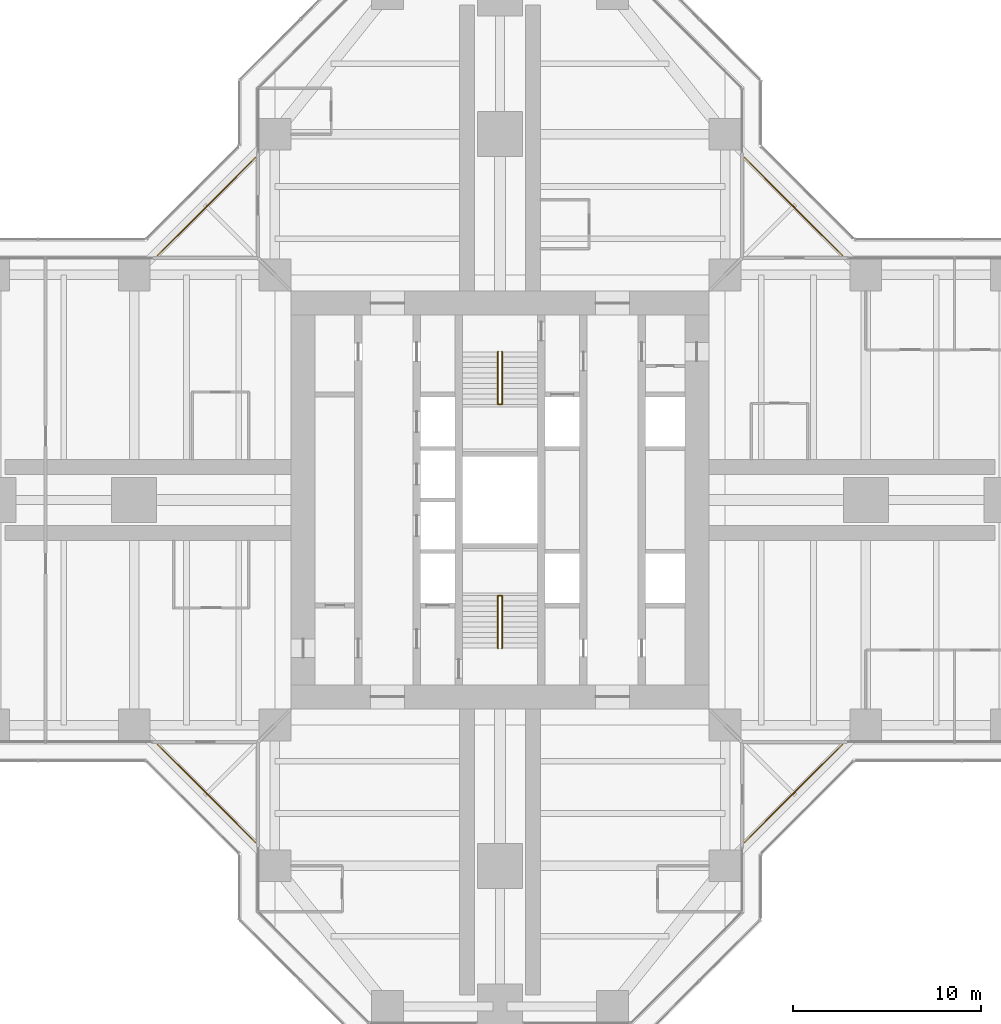
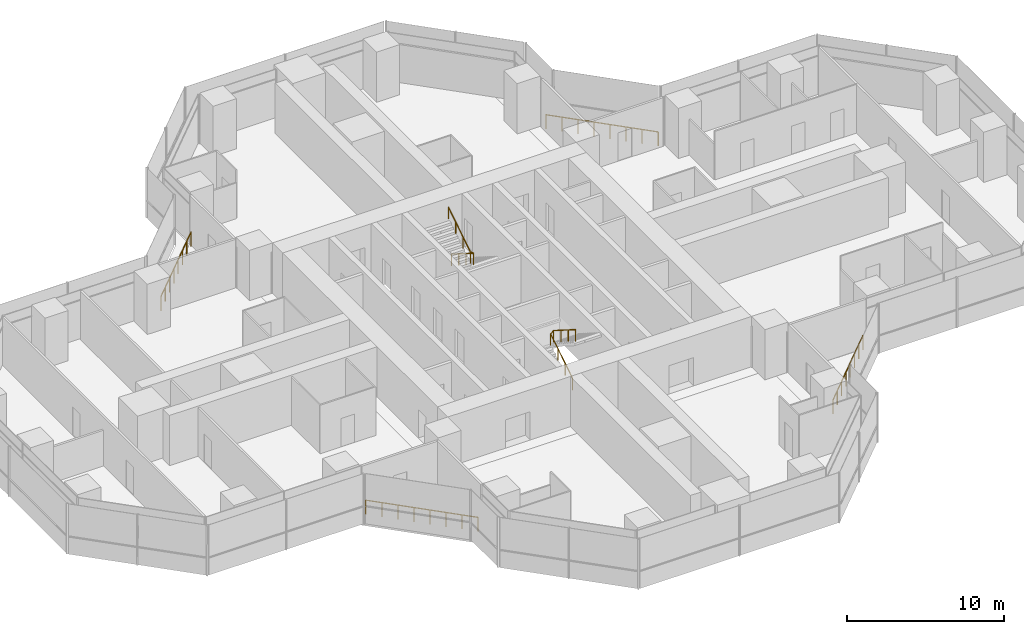
# One storey, part 20 of 20: 6 railings.
"""IFC4 building model written with IfcOpenShell, lengths in metres."""

from ifc_helpers import new_model, si_unit, direction, frame, origin, origin_2d, place, context, subcontext, project, spatial, circle, extrude, material, type_object, element, save


model = new_model("IFC4")

# Units and contexts
model_context = context("Model", 3, precision=1e-05, world=origin(), true_north=direction((0.0, 1.0)))
body_context = subcontext(model_context, "Body", "Model", "MODEL_VIEW")
ifc_project = project(units=[si_unit("LENGTHUNIT", "METRE"), si_unit("AREAUNIT", "SQUARE_METRE"), si_unit("VOLUMEUNIT", "CUBIC_METRE"), si_unit("PLANEANGLEUNIT", "RADIAN"), si_unit("MASSUNIT", "GRAM", prefix="KILO")], contexts=[model_context])

# Site, building, storey
site_placement = place(None, origin())
site = spatial("IfcSite", under=ifc_project, at=site_placement, CompositionType="ELEMENT")
building_placement = place(site_placement, origin())
building = spatial("IfcBuilding", under=site, at=building_placement, Name="Mizan Broadcast Tower", CompositionType="ELEMENT")
storey_placement = place(building_placement, frame((0.0, 0.0, 155.39990234375)))
storey = spatial("IfcBuildingStorey", under=building, at=storey_placement, Name="L35", CompositionType="ELEMENT", Elevation=155.39990234375)

# Railings
ifc_material_1 = material(Name="Stainless steel and glass guard", Category="steel")
railing_type_1 = type_object("IfcRailingType", Name="GUARD 1100", PredefinedType="GUARDRAIL", material=ifc_material_1)
railing_1_placement = place(storey_placement, frame((18.2578125, 13.030029296875, 0.0)))
element("IfcRailing", 1, at=railing_1_placement, inside=storey, type_object=railing_type_1, Name="Winter garden guard L35 E", PredefinedType="GUARDRAIL", context=body_context, shape_type="SweptSolid", body=[
    extrude(circle(Radius=0.02392578125, at=origin_2d()), frame((0.0, 0.0, 1.076171875), z_axis=(-0.707106781187, 0.707106781187, 0.0), x_axis=(-0.707106781187, -0.707106781187, 0.0)), (0.0, 0.0, 1.0), 7.393310546875),
    extrude(circle(Radius=0.02099609375, at=origin_2d()), origin(), (0.0, 0.0, 1.0), 1.052001953125),
    extrude(circle(Radius=0.02099609375, at=origin_2d()), frame((-0.746826171875, 0.746826171875, 0.0)), (0.0, 0.0, 1.0), 1.052001953125),
    extrude(circle(Radius=0.02099609375, at=origin_2d()), frame((-1.49365234375, 1.49365234375, 0.0)), (0.0, 0.0, 1.0), 1.052001953125),
    extrude(circle(Radius=0.02099609375, at=origin_2d()), frame((-2.240478515625, 2.240478515625, 0.0)), (0.0, 0.0, 1.0), 1.052001953125),
    extrude(circle(Radius=0.02099609375, at=origin_2d()), frame((-2.9873046875, 2.9873046875, 0.0)), (0.0, 0.0, 1.0), 1.052001953125),
    extrude(circle(Radius=0.02099609375, at=origin_2d()), frame((-3.734130859375, 3.734130859375, 0.0)), (0.0, 0.0, 1.0), 1.052001953125),
    extrude(circle(Radius=0.02099609375, at=origin_2d()), frame((-4.48095703125, 4.48095703125, 0.0)), (0.0, 0.0, 1.0), 1.052001953125),
    extrude(circle(Radius=0.02099609375, at=origin_2d()), frame((-5.227783203125, 5.227783203125, 0.0)), (0.0, 0.0, 1.0), 1.052001953125),
])
railing_2_placement = place(storey_placement, frame((-13.030029296875, 18.2578125, 0.0)))
element("IfcRailing", 2, at=railing_2_placement, inside=storey, type_object=railing_type_1, Name="Winter garden guard L35 N", PredefinedType="GUARDRAIL", context=body_context, shape_type="SweptSolid", body=[
    extrude(circle(Radius=0.02392578125, at=origin_2d()), frame((0.0, 0.0, 1.076171875), z_axis=(-0.707106781187, -0.707106781187, 0.0), x_axis=(0.707106781187, -0.707106781187, 0.0)), (0.0, 0.0, 1.0), 7.393310546875),
    extrude(circle(Radius=0.02099609375, at=origin_2d()), origin(), (0.0, 0.0, 1.0), 1.052001953125),
    extrude(circle(Radius=0.02099609375, at=origin_2d()), frame((-0.746826171875, -0.746826171875, 0.0)), (0.0, 0.0, 1.0), 1.052001953125),
    extrude(circle(Radius=0.02099609375, at=origin_2d()), frame((-1.49365234375, -1.49365234375, 0.0)), (0.0, 0.0, 1.0), 1.052001953125),
    extrude(circle(Radius=0.02099609375, at=origin_2d()), frame((-2.240478515625, -2.240478515625, 0.0)), (0.0, 0.0, 1.0), 1.052001953125),
    extrude(circle(Radius=0.02099609375, at=origin_2d()), frame((-2.9873046875, -2.9873046875, 0.0)), (0.0, 0.0, 1.0), 1.052001953125),
    extrude(circle(Radius=0.02099609375, at=origin_2d()), frame((-3.734130859375, -3.734130859375, 0.0)), (0.0, 0.0, 1.0), 1.052001953125),
    extrude(circle(Radius=0.02099609375, at=origin_2d()), frame((-4.48095703125, -4.48095703125, 0.0)), (0.0, 0.0, 1.0), 1.052001953125),
    extrude(circle(Radius=0.02099609375, at=origin_2d()), frame((-5.227783203125, -5.227783203125, 0.0)), (0.0, 0.0, 1.0), 1.052001953125),
])
railing_3_placement = place(storey_placement, frame((-18.2578125, -13.030029296875, 0.0)))
element("IfcRailing", 3, at=railing_3_placement, inside=storey, type_object=railing_type_1, Name="Winter garden guard L35 W", PredefinedType="GUARDRAIL", context=body_context, shape_type="SweptSolid", body=[
    extrude(circle(Radius=0.02392578125, at=origin_2d()), frame((0.0, 0.0, 1.076171875), z_axis=(0.707106781187, -0.707106781187, 0.0), x_axis=(0.707106781187, 0.707106781187, 0.0)), (0.0, 0.0, 1.0), 7.393310546875),
    extrude(circle(Radius=0.02099609375, at=origin_2d()), origin(), (0.0, 0.0, 1.0), 1.052001953125),
    extrude(circle(Radius=0.02099609375, at=origin_2d()), frame((0.746826171875, -0.746826171875, 0.0)), (0.0, 0.0, 1.0), 1.052001953125),
    extrude(circle(Radius=0.02099609375, at=origin_2d()), frame((1.49365234375, -1.49365234375, 0.0)), (0.0, 0.0, 1.0), 1.052001953125),
    extrude(circle(Radius=0.02099609375, at=origin_2d()), frame((2.240478515625, -2.240478515625, 0.0)), (0.0, 0.0, 1.0), 1.052001953125),
    extrude(circle(Radius=0.02099609375, at=origin_2d()), frame((2.9873046875, -2.9873046875, 0.0)), (0.0, 0.0, 1.0), 1.052001953125),
    extrude(circle(Radius=0.02099609375, at=origin_2d()), frame((3.734130859375, -3.734130859375, 0.0)), (0.0, 0.0, 1.0), 1.052001953125),
    extrude(circle(Radius=0.02099609375, at=origin_2d()), frame((4.48095703125, -4.48095703125, 0.0)), (0.0, 0.0, 1.0), 1.052001953125),
    extrude(circle(Radius=0.02099609375, at=origin_2d()), frame((5.227783203125, -5.227783203125, 0.0)), (0.0, 0.0, 1.0), 1.052001953125),
])
railing_4_placement = place(storey_placement, frame((13.030029296875, -18.2578125, 0.0)))
element("IfcRailing", 4, at=railing_4_placement, inside=storey, type_object=railing_type_1, Name="Winter garden guard L35 S", PredefinedType="GUARDRAIL", context=body_context, shape_type="SweptSolid", body=[
    extrude(circle(Radius=0.02392578125, at=origin_2d()), frame((0.0, 0.0, 1.076171875), z_axis=(0.707106781187, 0.707106781187, 0.0), x_axis=(-0.707106781187, 0.707106781187, 0.0)), (0.0, 0.0, 1.0), 7.393310546875),
    extrude(circle(Radius=0.02099609375, at=origin_2d()), origin(), (0.0, 0.0, 1.0), 1.052001953125),
    extrude(circle(Radius=0.02099609375, at=origin_2d()), frame((0.746826171875, 0.746826171875, 0.0)), (0.0, 0.0, 1.0), 1.052001953125),
    extrude(circle(Radius=0.02099609375, at=origin_2d()), frame((1.49365234375, 1.49365234375, 0.0)), (0.0, 0.0, 1.0), 1.052001953125),
    extrude(circle(Radius=0.02099609375, at=origin_2d()), frame((2.240478515625, 2.240478515625, 0.0)), (0.0, 0.0, 1.0), 1.052001953125),
    extrude(circle(Radius=0.02099609375, at=origin_2d()), frame((2.9873046875, 2.9873046875, 0.0)), (0.0, 0.0, 1.0), 1.052001953125),
    extrude(circle(Radius=0.02099609375, at=origin_2d()), frame((3.734130859375, 3.734130859375, 0.0)), (0.0, 0.0, 1.0), 1.052001953125),
    extrude(circle(Radius=0.02099609375, at=origin_2d()), frame((4.48095703125, 4.48095703125, 0.0)), (0.0, 0.0, 1.0), 1.052001953125),
    extrude(circle(Radius=0.02099609375, at=origin_2d()), frame((5.227783203125, 5.227783203125, 0.0)), (0.0, 0.0, 1.0), 1.052001953125),
])
ifc_material_2 = material(Name="Stainless steel", Category="steel")
railing_type_2 = type_object("IfcRailingType", Name="HANDRAIL 50", PredefinedType="HANDRAIL", material=ifc_material_2)
railing_5_placement = place(storey_placement, frame((-0.110107421875, -7.89990234375, 0.177490234375)))
element("IfcRailing", 5, at=railing_5_placement, inside=storey, type_object=railing_type_2, Name="Stair A handrail", PredefinedType="HANDRAIL", context=body_context, shape_type="SweptSolid", body=[
    extrude(circle(Radius=0.02392578125, at=origin_2d()), frame((0.0, 0.0, 0.8759765625), z_axis=(0.0, 0.844887892834, 0.53494340686), x_axis=(-1.0, 0.0, 0.0)), (0.0, 0.0, 1.0), 3.313720703125),
    extrude(circle(Radius=0.02392578125, at=origin_2d()), frame((0.0, 2.7998046875, 2.6484375), z_axis=(0.779011685263, 0.0, 0.627009405212), x_axis=(0.0, 1.0, 0.0)), (0.0, 0.0, 1.0), 0.28271484375),
    extrude(circle(Radius=0.02392578125, at=origin_2d()), frame((0.22021484375, 2.7998046875, 2.82568359375), z_axis=(0.0, -0.844887892834, 0.53494340686), x_axis=(1.0, 0.0, 0.0)), (0.0, 0.0, 1.0), 3.313720703125),
    extrude(circle(Radius=0.02099609375, at=origin_2d()), origin(), (0.0, 0.0, 1.0), 0.851806640625),
    extrude(circle(Radius=0.02099609375, at=origin_2d()), frame((0.0, 0.933349609375, 0.5908203125)), (0.0, 0.0, 1.0), 0.851806640625),
    extrude(circle(Radius=0.02099609375, at=origin_2d()), frame((0.0, 1.866455078125, 1.181884765625)), (0.0, 0.0, 1.0), 0.851806640625),
    extrude(circle(Radius=0.02099609375, at=origin_2d()), frame((0.0, 2.7998046875, 1.772705078125)), (0.0, 0.0, 1.0), 0.851806640625),
    extrude(circle(Radius=0.02099609375, at=origin_2d()), frame((0.22021484375, 2.7998046875, 1.949951171875)), (0.0, 0.0, 1.0), 0.851806640625),
    extrude(circle(Radius=0.02099609375, at=origin_2d()), frame((0.22021484375, 1.866455078125, 2.540771484375)), (0.0, 0.0, 1.0), 0.851806640625),
    extrude(circle(Radius=0.02099609375, at=origin_2d()), frame((0.22021484375, 0.933349609375, 3.1318359375)), (0.0, 0.0, 1.0), 0.851806640625),
    extrude(circle(Radius=0.02099609375, at=origin_2d()), frame((0.22021484375, 0.0, 3.72265625)), (0.0, 0.0, 1.0), 0.851806640625),
])
railing_6_placement = place(storey_placement, frame((0.110107421875, 7.89990234375, 0.177490234375)))
element("IfcRailing", 6, at=railing_6_placement, inside=storey, type_object=railing_type_2, Name="Stair B handrail", PredefinedType="HANDRAIL", context=body_context, shape_type="SweptSolid", body=[
    extrude(circle(Radius=0.02392578125, at=origin_2d()), frame((0.0, 0.0, 0.8759765625), z_axis=(0.0, -0.844887892834, 0.53494340686), x_axis=(1.0, 0.0, 0.0)), (0.0, 0.0, 1.0), 3.313720703125),
    extrude(circle(Radius=0.02392578125, at=origin_2d()), frame((0.0, -2.7998046875, 2.6484375), z_axis=(-0.779011685263, 0.0, 0.627009405212), x_axis=(0.0, -1.0, 0.0)), (0.0, 0.0, 1.0), 0.28271484375),
    extrude(circle(Radius=0.02392578125, at=origin_2d()), frame((-0.22021484375, -2.7998046875, 2.82568359375), z_axis=(0.0, 0.844887892834, 0.53494340686), x_axis=(-1.0, 0.0, 0.0)), (0.0, 0.0, 1.0), 3.313720703125),
    extrude(circle(Radius=0.02099609375, at=origin_2d()), origin(), (0.0, 0.0, 1.0), 0.851806640625),
    extrude(circle(Radius=0.02099609375, at=origin_2d()), frame((0.0, -0.933349609375, 0.5908203125)), (0.0, 0.0, 1.0), 0.851806640625),
    extrude(circle(Radius=0.02099609375, at=origin_2d()), frame((0.0, -1.866455078125, 1.181884765625)), (0.0, 0.0, 1.0), 0.851806640625),
    extrude(circle(Radius=0.02099609375, at=origin_2d()), frame((0.0, -2.7998046875, 1.772705078125)), (0.0, 0.0, 1.0), 0.851806640625),
    extrude(circle(Radius=0.02099609375, at=origin_2d()), frame((-0.22021484375, -2.7998046875, 1.949951171875)), (0.0, 0.0, 1.0), 0.851806640625),
    extrude(circle(Radius=0.02099609375, at=origin_2d()), frame((-0.22021484375, -1.866455078125, 2.540771484375)), (0.0, 0.0, 1.0), 0.851806640625),
    extrude(circle(Radius=0.02099609375, at=origin_2d()), frame((-0.22021484375, -0.933349609375, 3.1318359375)), (0.0, 0.0, 1.0), 0.851806640625),
    extrude(circle(Radius=0.02099609375, at=origin_2d()), frame((-0.22021484375, 0.0, 3.72265625)), (0.0, 0.0, 1.0), 0.851806640625),
])

save(model, "model.ifc")
